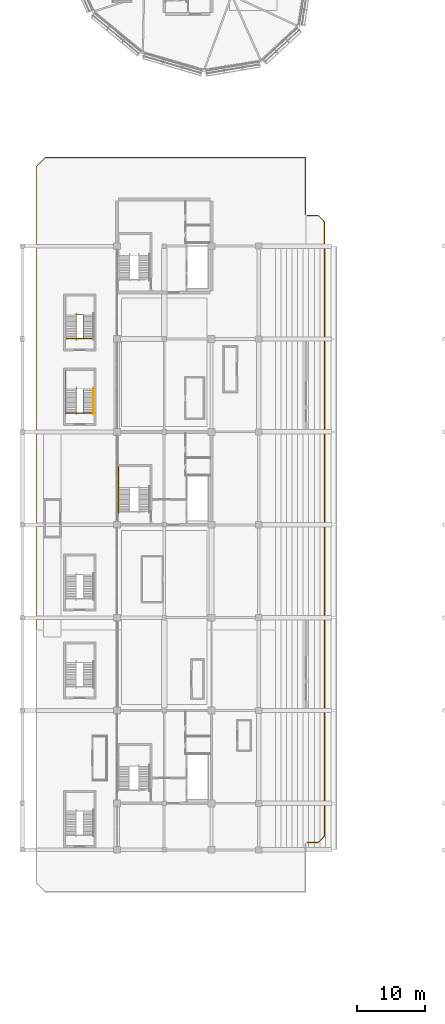
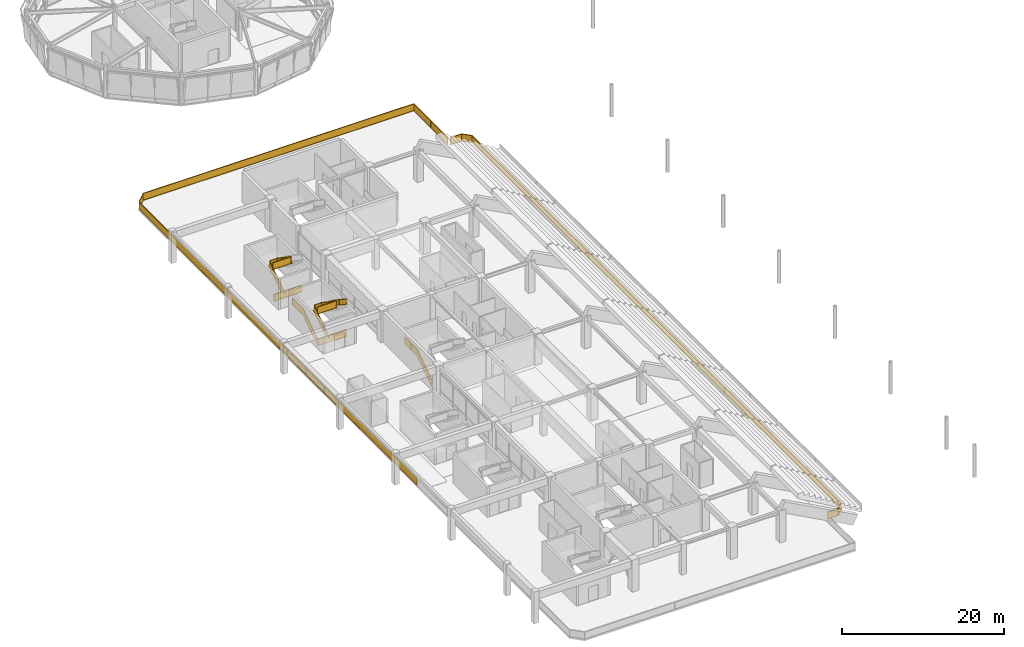
# One storey, part 84 of 94: 9 railings.
"""IFC4 building model written with IfcOpenShell, lengths in metres."""

from ifc_helpers import new_model, si_unit, direction, frame, origin, origin_2d, place, context, subcontext, project, spatial, rectangle, extrude, material, type_object, element, save


model = new_model("IFC4")

# Units and contexts
model_context = context("Model", 3, precision=1e-05, world=origin(), true_north=direction((0.0, 1.0)))
body_context = subcontext(model_context, "Body", "Model", "MODEL_VIEW")
ifc_project = project(units=[si_unit("LENGTHUNIT", "METRE"), si_unit("AREAUNIT", "SQUARE_METRE"), si_unit("VOLUMEUNIT", "CUBIC_METRE"), si_unit("PLANEANGLEUNIT", "RADIAN"), si_unit("MASSUNIT", "GRAM", prefix="KILO")], contexts=[model_context])

# Site, building, storey
site_placement = place(None, origin())
site = spatial("IfcSite", under=ifc_project, at=site_placement, CompositionType="ELEMENT")
building_placement = place(site_placement, origin())
building = spatial("IfcBuilding", under=site, at=building_placement, Name="Linyun Crest Stadium", CompositionType="ELEMENT")
storey_placement = place(building_placement, frame((0.0, 0.0, 16.199951171875)))
storey = spatial("IfcBuildingStorey", under=building, at=storey_placement, Name="L04", CompositionType="ELEMENT", Elevation=16.199951171875)

# Railings
ifc_material_1 = material(Name="Verdigris painted steel botanical balustrade", Category="steel")
railing_type_1 = type_object("IfcRailingType", Name="GR01", PredefinedType="BALUSTRADE", material=ifc_material_1)
railing_1_placement = place(storey_placement, frame((-55.820068359375, 47.93994140625, 0.0)))
element("IfcRailing", 1, at=railing_1_placement, inside=storey, type_object=railing_type_1, Name="Slab edge balustrade GR01 97", PredefinedType="BALUSTRADE", context=body_context, shape_type="SweptSolid", body=[
    extrude(rectangle(XDim=0.06005859375, YDim=0.06005859375, at=origin_2d()), frame((0.0, 0.0, 1.119873046875), z_axis=(1.0, 0.0, 0.0), x_axis=(0.0, 1.0, 0.0)), (0.0, 0.0, 1.0), 1.594970703125),
    extrude(rectangle(XDim=0.030029296875, YDim=1.02978515625, at=origin_2d()), frame((0.0, 0.0, 0.574951171875), z_axis=(1.0, 0.0, 0.0), x_axis=(0.0, 1.0, 0.0)), (0.0, 0.0, 1.0), 1.594970703125),
    extrude(rectangle(XDim=0.06005859375, YDim=0.06005859375, at=origin_2d()), frame((0.0, 0.0, 0.030029296875), z_axis=(1.0, 0.0, 0.0), x_axis=(0.0, 1.0, 0.0)), (0.0, 0.0, 1.0), 1.594970703125),
    extrude(rectangle(XDim=0.06005859375, YDim=0.06005859375, at=origin_2d()), frame((1.594970703125, 0.0, 1.119873046875), z_axis=(0.707196226101, -0.707017324956, 0.0), x_axis=(0.707017324956, 0.707196226101, 0.0)), (0.0, 0.0, 1.0), 1.36474609375),
    extrude(rectangle(XDim=0.030029296875, YDim=1.02978515625, at=origin_2d()), frame((1.594970703125, 0.0, 0.574951171875), z_axis=(0.707196226101, -0.707017324956, 0.0), x_axis=(0.707017324956, 0.707196226101, 0.0)), (0.0, 0.0, 1.0), 1.36474609375),
    extrude(rectangle(XDim=0.06005859375, YDim=0.06005859375, at=origin_2d()), frame((1.594970703125, 0.0, 0.030029296875), z_axis=(0.707196226101, -0.707017324956, 0.0), x_axis=(0.707017324956, 0.707196226101, 0.0)), (0.0, 0.0, 1.0), 1.36474609375),
    extrude(rectangle(XDim=0.06005859375, YDim=0.06005859375, at=origin_2d()), frame((2.56005859375, -0.96484375, 1.119873046875), z_axis=(0.0, -1.0, 0.0), x_axis=(1.0, 0.0, 0.0)), (0.0, 0.0, 1.0), 90.9501953125),
    extrude(rectangle(XDim=0.030029296875, YDim=1.02978515625, at=origin_2d()), frame((2.56005859375, -0.96484375, 0.574951171875), z_axis=(0.0, -1.0, 0.0), x_axis=(1.0, 0.0, 0.0)), (0.0, 0.0, 1.0), 90.9501953125),
    extrude(rectangle(XDim=0.06005859375, YDim=0.06005859375, at=origin_2d()), frame((2.56005859375, -0.96484375, 0.030029296875), z_axis=(0.0, -1.0, 0.0), x_axis=(1.0, 0.0, 0.0)), (0.0, 0.0, 1.0), 90.9501953125),
    extrude(rectangle(XDim=0.06005859375, YDim=0.06005859375, at=origin_2d()), frame((2.56005859375, -91.9150390625, 1.119873046875), z_axis=(-0.707196226101, -0.707017324956, 0.0), x_axis=(0.707017324956, -0.707196226101, 0.0)), (0.0, 0.0, 1.0), 1.36474609375),
    extrude(rectangle(XDim=0.030029296875, YDim=1.02978515625, at=origin_2d()), frame((2.56005859375, -91.9150390625, 0.574951171875), z_axis=(-0.707196226101, -0.707017324956, 0.0), x_axis=(0.707017324956, -0.707196226101, 0.0)), (0.0, 0.0, 1.0), 1.36474609375),
    extrude(rectangle(XDim=0.06005859375, YDim=0.06005859375, at=origin_2d()), frame((2.56005859375, -91.9150390625, 0.030029296875), z_axis=(-0.707196226101, -0.707017324956, 0.0), x_axis=(0.707017324956, -0.707196226101, 0.0)), (0.0, 0.0, 1.0), 1.36474609375),
    extrude(rectangle(XDim=0.06005859375, YDim=0.06005859375, at=origin_2d()), frame((1.594970703125, -92.8798828125, 1.119873046875), z_axis=(-1.0, 0.0, 0.0), x_axis=(0.0, -1.0, 0.0)), (0.0, 0.0, 1.0), 1.594970703125),
    extrude(rectangle(XDim=0.030029296875, YDim=1.02978515625, at=origin_2d()), frame((1.594970703125, -92.8798828125, 0.574951171875), z_axis=(-1.0, 0.0, 0.0), x_axis=(0.0, -1.0, 0.0)), (0.0, 0.0, 1.0), 1.594970703125),
    extrude(rectangle(XDim=0.06005859375, YDim=0.06005859375, at=origin_2d()), frame((1.594970703125, -92.8798828125, 0.030029296875), z_axis=(-1.0, 0.0, 0.0), x_axis=(0.0, -1.0, 0.0)), (0.0, 0.0, 1.0), 1.594970703125),
    extrude(rectangle(XDim=0.050048828125, YDim=0.050048828125, at=origin_2d()), origin(), (0.0, 0.0, 1.0), 1.14990234375),
    extrude(rectangle(XDim=0.050048828125, YDim=0.050048828125, at=origin_2d()), frame((1.594970703125, 0.0, 0.0)), (0.0, 0.0, 1.0), 1.14990234375),
    extrude(rectangle(XDim=0.050048828125, YDim=0.050048828125, at=origin_2d()), frame((2.56005859375, -0.96484375, 0.0)), (0.0, 0.0, 1.0), 1.14990234375),
    extrude(rectangle(XDim=0.050048828125, YDim=0.050048828125, at=origin_2d()), frame((2.56005859375, -5.751708984375, 0.0)), (0.0, 0.0, 1.0), 1.14990234375),
    extrude(rectangle(XDim=0.050048828125, YDim=0.050048828125, at=origin_2d()), frame((2.56005859375, -10.53857421875, 0.0)), (0.0, 0.0, 1.0), 1.14990234375),
    extrude(rectangle(XDim=0.050048828125, YDim=0.050048828125, at=origin_2d()), frame((2.56005859375, -15.325439453125, 0.0)), (0.0, 0.0, 1.0), 1.14990234375),
    extrude(rectangle(XDim=0.050048828125, YDim=0.050048828125, at=origin_2d()), frame((2.56005859375, -20.1123046875, 0.0)), (0.0, 0.0, 1.0), 1.14990234375),
    extrude(rectangle(XDim=0.050048828125, YDim=0.050048828125, at=origin_2d()), frame((2.56005859375, -24.899169921875, 0.0)), (0.0, 0.0, 1.0), 1.14990234375),
    extrude(rectangle(XDim=0.050048828125, YDim=0.050048828125, at=origin_2d()), frame((2.56005859375, -29.68603515625, 0.0)), (0.0, 0.0, 1.0), 1.14990234375),
    extrude(rectangle(XDim=0.050048828125, YDim=0.050048828125, at=origin_2d()), frame((2.56005859375, -34.472900390625, 0.0)), (0.0, 0.0, 1.0), 1.14990234375),
    extrude(rectangle(XDim=0.050048828125, YDim=0.050048828125, at=origin_2d()), frame((2.56005859375, -39.259765625, 0.0)), (0.0, 0.0, 1.0), 1.14990234375),
    extrude(rectangle(XDim=0.050048828125, YDim=0.050048828125, at=origin_2d()), frame((2.56005859375, -44.046630859375, 0.0)), (0.0, 0.0, 1.0), 1.14990234375),
    extrude(rectangle(XDim=0.050048828125, YDim=0.050048828125, at=origin_2d()), frame((2.56005859375, -48.833251953125, 0.0)), (0.0, 0.0, 1.0), 1.14990234375),
    extrude(rectangle(XDim=0.050048828125, YDim=0.050048828125, at=origin_2d()), frame((2.56005859375, -53.6201171875, 0.0)), (0.0, 0.0, 1.0), 1.14990234375),
    extrude(rectangle(XDim=0.050048828125, YDim=0.050048828125, at=origin_2d()), frame((2.56005859375, -58.406982421875, 0.0)), (0.0, 0.0, 1.0), 1.14990234375),
    extrude(rectangle(XDim=0.050048828125, YDim=0.050048828125, at=origin_2d()), frame((2.56005859375, -63.19384765625, 0.0)), (0.0, 0.0, 1.0), 1.14990234375),
    extrude(rectangle(XDim=0.050048828125, YDim=0.050048828125, at=origin_2d()), frame((2.56005859375, -67.980712890625, 0.0)), (0.0, 0.0, 1.0), 1.14990234375),
    extrude(rectangle(XDim=0.050048828125, YDim=0.050048828125, at=origin_2d()), frame((2.56005859375, -72.767578125, 0.0)), (0.0, 0.0, 1.0), 1.14990234375),
    extrude(rectangle(XDim=0.050048828125, YDim=0.050048828125, at=origin_2d()), frame((2.56005859375, -77.554443359375, 0.0)), (0.0, 0.0, 1.0), 1.14990234375),
    extrude(rectangle(XDim=0.050048828125, YDim=0.050048828125, at=origin_2d()), frame((2.56005859375, -82.34130859375, 0.0)), (0.0, 0.0, 1.0), 1.14990234375),
    extrude(rectangle(XDim=0.050048828125, YDim=0.050048828125, at=origin_2d()), frame((2.56005859375, -87.128173828125, 0.0)), (0.0, 0.0, 1.0), 1.14990234375),
    extrude(rectangle(XDim=0.050048828125, YDim=0.050048828125, at=origin_2d()), frame((2.56005859375, -91.9150390625, 0.0)), (0.0, 0.0, 1.0), 1.14990234375),
    extrude(rectangle(XDim=0.050048828125, YDim=0.050048828125, at=origin_2d()), frame((1.594970703125, -92.8798828125, 0.0)), (0.0, 0.0, 1.0), 1.14990234375),
    extrude(rectangle(XDim=0.050048828125, YDim=0.050048828125, at=origin_2d()), frame((0.0, -92.8798828125, 0.0)), (0.0, 0.0, 1.0), 1.14990234375),
])
ifc_material_2 = material(Name="Galvanized and powder-coated steel bowl safety barrier", Category="steel")
railing_type_2 = type_object("IfcRailingType", Name="GR02", PredefinedType="GUARDRAIL", material=ifc_material_2)
railing_2_placement = place(storey_placement, frame((-95.93994140625, -13.330078125, 0.0)))
element("IfcRailing", 2, at=railing_2_placement, inside=storey, type_object=railing_type_2, Name="Slab edge balustrade GR02 58", PredefinedType="GUARDRAIL", context=body_context, shape_type="SweptSolid", body=[
    extrude(rectangle(XDim=0.06005859375, YDim=0.06005859375, at=origin_2d()), frame((0.0, 0.0, 1.090087890625), z_axis=(0.0, 1.0, 0.0), x_axis=(-1.0, 0.0, 0.0)), (0.0, 0.0, 1.0), 68.489990234375),
    extrude(rectangle(XDim=0.030029296875, YDim=1.0, at=origin_2d()), frame((0.0, 0.0, 0.56005859375), z_axis=(0.0, 1.0, 0.0), x_axis=(-1.0, 0.0, 0.0)), (0.0, 0.0, 1.0), 68.489990234375),
    extrude(rectangle(XDim=0.06005859375, YDim=0.06005859375, at=origin_2d()), frame((0.0, 0.0, 0.030029296875), z_axis=(0.0, 1.0, 0.0), x_axis=(-1.0, 0.0, 0.0)), (0.0, 0.0, 1.0), 68.489990234375),
    extrude(rectangle(XDim=0.06005859375, YDim=0.06005859375, at=origin_2d()), frame((0.0, 68.489990234375, 1.090087890625), z_axis=(0.707106781187, 0.707106781187, 0.0), x_axis=(-0.707106781187, 0.707106781187, 0.0)), (0.0, 0.0, 1.0), 1.930419921875),
    extrude(rectangle(XDim=0.030029296875, YDim=1.0, at=origin_2d()), frame((0.0, 68.489990234375, 0.56005859375), z_axis=(0.707106781187, 0.707106781187, 0.0), x_axis=(-0.707106781187, 0.707106781187, 0.0)), (0.0, 0.0, 1.0), 1.930419921875),
    extrude(rectangle(XDim=0.06005859375, YDim=0.06005859375, at=origin_2d()), frame((0.0, 68.489990234375, 0.030029296875), z_axis=(0.707106781187, 0.707106781187, 0.0), x_axis=(-0.707106781187, 0.707106781187, 0.0)), (0.0, 0.0, 1.0), 1.930419921875),
    extrude(rectangle(XDim=0.06005859375, YDim=0.06005859375, at=origin_2d()), frame((1.364990234375, 69.85498046875, 1.090087890625), z_axis=(1.0, 0.0, 0.0), x_axis=(0.0, 1.0, 0.0)), (0.0, 0.0, 1.0), 38.514892578125),
    extrude(rectangle(XDim=0.030029296875, YDim=1.0, at=origin_2d()), frame((1.364990234375, 69.85498046875, 0.56005859375), z_axis=(1.0, 0.0, 0.0), x_axis=(0.0, 1.0, 0.0)), (0.0, 0.0, 1.0), 38.514892578125),
    extrude(rectangle(XDim=0.06005859375, YDim=0.06005859375, at=origin_2d()), frame((1.364990234375, 69.85498046875, 0.030029296875), z_axis=(1.0, 0.0, 0.0), x_axis=(0.0, 1.0, 0.0)), (0.0, 0.0, 1.0), 38.514892578125),
    extrude(rectangle(XDim=0.06005859375, YDim=0.06005859375, at=origin_2d()), frame((39.8798828125, 69.85498046875, 1.090087890625), z_axis=(0.0, -1.0, 0.0), x_axis=(1.0, 0.0, 0.0)), (0.0, 0.0, 1.0), 8.364013671875),
    extrude(rectangle(XDim=0.030029296875, YDim=1.0, at=origin_2d()), frame((39.8798828125, 69.85498046875, 0.56005859375), z_axis=(0.0, -1.0, 0.0), x_axis=(1.0, 0.0, 0.0)), (0.0, 0.0, 1.0), 8.364013671875),
    extrude(rectangle(XDim=0.06005859375, YDim=0.06005859375, at=origin_2d()), frame((39.8798828125, 69.85498046875, 0.030029296875), z_axis=(0.0, -1.0, 0.0), x_axis=(1.0, 0.0, 0.0)), (0.0, 0.0, 1.0), 8.364013671875),
    extrude(rectangle(XDim=0.050048828125, YDim=0.050048828125, at=origin_2d()), origin(), (0.0, 0.0, 1.0), 1.1201171875),
    extrude(rectangle(XDim=0.050048828125, YDim=0.050048828125, at=origin_2d()), frame((0.0, 4.56591796875, 0.0)), (0.0, 0.0, 1.0), 1.1201171875),
    extrude(rectangle(XDim=0.050048828125, YDim=0.050048828125, at=origin_2d()), frame((0.0, 9.132080078125, 0.0)), (0.0, 0.0, 1.0), 1.1201171875),
    extrude(rectangle(XDim=0.050048828125, YDim=0.050048828125, at=origin_2d()), frame((0.0, 13.697998046875, 0.0)), (0.0, 0.0, 1.0), 1.1201171875),
    extrude(rectangle(XDim=0.050048828125, YDim=0.050048828125, at=origin_2d()), frame((0.0, 18.263916015625, 0.0)), (0.0, 0.0, 1.0), 1.1201171875),
    extrude(rectangle(XDim=0.050048828125, YDim=0.050048828125, at=origin_2d()), frame((0.0, 22.830078125, 0.0)), (0.0, 0.0, 1.0), 1.1201171875),
    extrude(rectangle(XDim=0.050048828125, YDim=0.050048828125, at=origin_2d()), frame((0.0, 27.39599609375, 0.0)), (0.0, 0.0, 1.0), 1.1201171875),
    extrude(rectangle(XDim=0.050048828125, YDim=0.050048828125, at=origin_2d()), frame((0.0, 31.9619140625, 0.0)), (0.0, 0.0, 1.0), 1.1201171875),
    extrude(rectangle(XDim=0.050048828125, YDim=0.050048828125, at=origin_2d()), frame((0.0, 36.528076171875, 0.0)), (0.0, 0.0, 1.0), 1.1201171875),
    extrude(rectangle(XDim=0.050048828125, YDim=0.050048828125, at=origin_2d()), frame((0.0, 41.093994140625, 0.0)), (0.0, 0.0, 1.0), 1.1201171875),
    extrude(rectangle(XDim=0.050048828125, YDim=0.050048828125, at=origin_2d()), frame((0.0, 45.659912109375, 0.0)), (0.0, 0.0, 1.0), 1.1201171875),
    extrude(rectangle(XDim=0.050048828125, YDim=0.050048828125, at=origin_2d()), frame((0.0, 50.22607421875, 0.0)), (0.0, 0.0, 1.0), 1.1201171875),
    extrude(rectangle(XDim=0.050048828125, YDim=0.050048828125, at=origin_2d()), frame((0.0, 54.7919921875, 0.0)), (0.0, 0.0, 1.0), 1.1201171875),
    extrude(rectangle(XDim=0.050048828125, YDim=0.050048828125, at=origin_2d()), frame((0.0, 59.35791015625, 0.0)), (0.0, 0.0, 1.0), 1.1201171875),
    extrude(rectangle(XDim=0.050048828125, YDim=0.050048828125, at=origin_2d()), frame((0.0, 63.924072265625, 0.0)), (0.0, 0.0, 1.0), 1.1201171875),
    extrude(rectangle(XDim=0.050048828125, YDim=0.050048828125, at=origin_2d()), frame((0.0, 68.489990234375, 0.0)), (0.0, 0.0, 1.0), 1.1201171875),
    extrude(rectangle(XDim=0.050048828125, YDim=0.050048828125, at=origin_2d()), frame((1.364990234375, 69.85498046875, 0.0)), (0.0, 0.0, 1.0), 1.1201171875),
    extrude(rectangle(XDim=0.050048828125, YDim=0.050048828125, at=origin_2d()), frame((5.64453125, 69.85498046875, 0.0)), (0.0, 0.0, 1.0), 1.1201171875),
    extrude(rectangle(XDim=0.050048828125, YDim=0.050048828125, at=origin_2d()), frame((9.923828125, 69.85498046875, 0.0)), (0.0, 0.0, 1.0), 1.1201171875),
    extrude(rectangle(XDim=0.050048828125, YDim=0.050048828125, at=origin_2d()), frame((14.203369140625, 69.85498046875, 0.0)), (0.0, 0.0, 1.0), 1.1201171875),
    extrude(rectangle(XDim=0.050048828125, YDim=0.050048828125, at=origin_2d()), frame((18.482666015625, 69.85498046875, 0.0)), (0.0, 0.0, 1.0), 1.1201171875),
    extrude(rectangle(XDim=0.050048828125, YDim=0.050048828125, at=origin_2d()), frame((22.76220703125, 69.85498046875, 0.0)), (0.0, 0.0, 1.0), 1.1201171875),
    extrude(rectangle(XDim=0.050048828125, YDim=0.050048828125, at=origin_2d()), frame((27.04150390625, 69.85498046875, 0.0)), (0.0, 0.0, 1.0), 1.1201171875),
    extrude(rectangle(XDim=0.050048828125, YDim=0.050048828125, at=origin_2d()), frame((31.321044921875, 69.85498046875, 0.0)), (0.0, 0.0, 1.0), 1.1201171875),
    extrude(rectangle(XDim=0.050048828125, YDim=0.050048828125, at=origin_2d()), frame((35.600341796875, 69.85498046875, 0.0)), (0.0, 0.0, 1.0), 1.1201171875),
    extrude(rectangle(XDim=0.050048828125, YDim=0.050048828125, at=origin_2d()), frame((39.8798828125, 69.85498046875, 0.0)), (0.0, 0.0, 1.0), 1.1201171875),
    extrude(rectangle(XDim=0.050048828125, YDim=0.050048828125, at=origin_2d()), frame((39.8798828125, 65.6728515625, 0.0)), (0.0, 0.0, 1.0), 1.1201171875),
    extrude(rectangle(XDim=0.050048828125, YDim=0.050048828125, at=origin_2d()), frame((39.8798828125, 61.490966796875, 0.0)), (0.0, 0.0, 1.0), 1.1201171875),
])
for number, where, name in (
    (3, (-91.4599609375, 18.68994140625, 0.0), "Slab edge balustrade GR02 64"),
    (4, (-91.4599609375, 29.68994140625, 0.0), "Slab edge balustrade GR02 65"),
):
    element("IfcRailing", number, at=place(storey_placement, frame(where)), inside=storey, type_object=railing_type_2, Name=name, PredefinedType="GUARDRAIL", context=body_context, shape_type="SweptSolid", body=[
        extrude(rectangle(XDim=0.06005859375, YDim=0.06005859375, at=origin_2d()), frame((0.0, 0.0, 1.090087890625), z_axis=(1.0, 0.0, 0.0), x_axis=(0.0, 1.0, 0.0)), (0.0, 0.0, 1.0), 3.919921875),
        extrude(rectangle(XDim=0.030029296875, YDim=1.0, at=origin_2d()), frame((0.0, 0.0, 0.56005859375), z_axis=(1.0, 0.0, 0.0), x_axis=(0.0, 1.0, 0.0)), (0.0, 0.0, 1.0), 3.919921875),
        extrude(rectangle(XDim=0.06005859375, YDim=0.06005859375, at=origin_2d()), frame((0.0, 0.0, 0.030029296875), z_axis=(1.0, 0.0, 0.0), x_axis=(0.0, 1.0, 0.0)), (0.0, 0.0, 1.0), 3.919921875),
        extrude(rectangle(XDim=0.050048828125, YDim=0.050048828125, at=origin_2d()), origin(), (0.0, 0.0, 1.0), 1.1201171875),
        extrude(rectangle(XDim=0.050048828125, YDim=0.050048828125, at=origin_2d()), frame((3.919921875, 0.0, 0.0)), (0.0, 0.0, 1.0), 1.1201171875),
    ])
ifc_material_3 = material(Name="Painted steel stairwell safety guard", Category="steel")
railing_type_3 = type_object("IfcRailingType", Name="GR03", PredefinedType="GUARDRAIL", material=ifc_material_3)
railing_3_placement = place(storey_placement, frame((-83.77001953125, 4.114990234375, 0.0)))
element("IfcRailing", 5, at=railing_3_placement, inside=storey, type_object=railing_type_3, Name="STR-02-L04 outer guard", PredefinedType="GUARDRAIL", context=body_context, shape_type="SweptSolid", body=[
    extrude(rectangle(XDim=0.06005859375, YDim=0.06005859375, at=origin_2d()), frame((0.0, 0.0, 1.090087890625), z_axis=(0.0, 0.824712752785, 0.565551832633), x_axis=(-1.0, 0.0, 0.0)), (0.0, 0.0, 1.0), 4.243896484375),
    extrude(rectangle(XDim=0.030029296875, YDim=1.0, at=origin_2d()), frame((0.0, 0.0, 0.56005859375), z_axis=(0.0, 0.824712752785, 0.565551832633), x_axis=(-1.0, 0.0, 0.0)), (0.0, 0.0, 1.0), 4.243896484375),
    extrude(rectangle(XDim=0.06005859375, YDim=0.06005859375, at=origin_2d()), frame((0.0, 0.0, 0.030029296875), z_axis=(0.0, 0.824712752785, 0.565551832633), x_axis=(-1.0, 0.0, 0.0)), (0.0, 0.0, 1.0), 4.243896484375),
    extrude(rectangle(XDim=0.06005859375, YDim=0.06005859375, at=origin_2d()), frame((0.0, 3.5, 3.490234375), z_axis=(0.0, 1.0, 0.0), x_axis=(-1.0, 0.0, 0.0)), (0.0, 0.0, 1.0), 3.080078125),
    extrude(rectangle(XDim=0.030029296875, YDim=1.0, at=origin_2d()), frame((0.0, 3.5, 2.960205078125), z_axis=(0.0, 1.0, 0.0), x_axis=(-1.0, 0.0, 0.0)), (0.0, 0.0, 1.0), 3.080078125),
    extrude(rectangle(XDim=0.06005859375, YDim=0.06005859375, at=origin_2d()), frame((0.0, 3.5, 2.43017578125), z_axis=(0.0, 1.0, 0.0), x_axis=(-1.0, 0.0, 0.0)), (0.0, 0.0, 1.0), 3.080078125),
    extrude(rectangle(XDim=0.050048828125, YDim=0.050048828125, at=origin_2d()), origin(), (0.0, 0.0, 1.0), 1.1201171875),
    extrude(rectangle(XDim=0.050048828125, YDim=0.050048828125, at=origin_2d()), frame((0.0, 1.166748046875, 0.800048828125)), (0.0, 0.0, 1.0), 1.1201171875),
    extrude(rectangle(XDim=0.050048828125, YDim=0.050048828125, at=origin_2d()), frame((0.0, 2.333251953125, 1.60009765625)), (0.0, 0.0, 1.0), 1.1201171875),
    extrude(rectangle(XDim=0.050048828125, YDim=0.050048828125, at=origin_2d()), frame((0.0, 3.5, 2.400146484375)), (0.0, 0.0, 1.0), 1.1201171875),
    extrude(rectangle(XDim=0.050048828125, YDim=0.050048828125, at=origin_2d()), frame((0.0, 5.0400390625, 2.400146484375)), (0.0, 0.0, 1.0), 1.1201171875),
    extrude(rectangle(XDim=0.050048828125, YDim=0.050048828125, at=origin_2d()), frame((0.0, 6.580078125, 2.400146484375)), (0.0, 0.0, 1.0), 1.1201171875),
])
railing_4_placement = place(storey_placement, frame((-91.570068359375, 18.719970703125, 0.0)))
element("IfcRailing", 6, at=railing_4_placement, inside=storey, type_object=railing_type_3, Name="STR-16-L04 outer guard", PredefinedType="GUARDRAIL", context=body_context, shape_type="SweptSolid", body=[
    extrude(rectangle(XDim=0.06005859375, YDim=0.06005859375, at=origin_2d()), frame((0.0, 0.0, 1.090087890625), z_axis=(0.0, 0.824712752785, 0.565551832633), x_axis=(-1.0, 0.0, 0.0)), (0.0, 0.0, 1.0), 4.243896484375),
    extrude(rectangle(XDim=0.030029296875, YDim=1.0, at=origin_2d()), frame((0.0, 0.0, 0.56005859375), z_axis=(0.0, 0.824712752785, 0.565551832633), x_axis=(-1.0, 0.0, 0.0)), (0.0, 0.0, 1.0), 4.243896484375),
    extrude(rectangle(XDim=0.06005859375, YDim=0.06005859375, at=origin_2d()), frame((0.0, 0.0, 0.030029296875), z_axis=(0.0, 0.824712752785, 0.565551832633), x_axis=(-1.0, 0.0, 0.0)), (0.0, 0.0, 1.0), 4.243896484375),
    extrude(rectangle(XDim=0.06005859375, YDim=0.06005859375, at=origin_2d()), frame((0.0, 3.5, 3.490234375), z_axis=(0.0, 1.0, 0.0), x_axis=(-1.0, 0.0, 0.0)), (0.0, 0.0, 1.0), 2.75),
    extrude(rectangle(XDim=0.030029296875, YDim=1.0, at=origin_2d()), frame((0.0, 3.5, 2.960205078125), z_axis=(0.0, 1.0, 0.0), x_axis=(-1.0, 0.0, 0.0)), (0.0, 0.0, 1.0), 2.75),
    extrude(rectangle(XDim=0.06005859375, YDim=0.06005859375, at=origin_2d()), frame((0.0, 3.5, 2.43017578125), z_axis=(0.0, 1.0, 0.0), x_axis=(-1.0, 0.0, 0.0)), (0.0, 0.0, 1.0), 2.75),
    extrude(rectangle(XDim=0.050048828125, YDim=0.050048828125, at=origin_2d()), origin(), (0.0, 0.0, 1.0), 1.1201171875),
    extrude(rectangle(XDim=0.050048828125, YDim=0.050048828125, at=origin_2d()), frame((0.0, 1.166748046875, 0.800048828125)), (0.0, 0.0, 1.0), 1.1201171875),
    extrude(rectangle(XDim=0.050048828125, YDim=0.050048828125, at=origin_2d()), frame((0.0, 2.333251953125, 1.60009765625)), (0.0, 0.0, 1.0), 1.1201171875),
    extrude(rectangle(XDim=0.050048828125, YDim=0.050048828125, at=origin_2d()), frame((0.0, 3.5, 2.400146484375)), (0.0, 0.0, 1.0), 1.1201171875),
    extrude(rectangle(XDim=0.050048828125, YDim=0.050048828125, at=origin_2d()), frame((0.0, 4.875, 2.400146484375)), (0.0, 0.0, 1.0), 1.1201171875),
    extrude(rectangle(XDim=0.050048828125, YDim=0.050048828125, at=origin_2d()), frame((0.0, 6.25, 2.400146484375)), (0.0, 0.0, 1.0), 1.1201171875),
])
railing_5_placement = place(storey_placement, frame((-90.030029296875, 18.699951171875, 0.0)))
element("IfcRailing", 7, at=railing_5_placement, inside=storey, type_object=railing_type_3, Name="STR-16-L04 inner well guard", PredefinedType="GUARDRAIL", context=body_context, shape_type="SweptSolid", body=[
    extrude(rectangle(XDim=0.06005859375, YDim=0.06005859375, at=origin_2d()), frame((0.0, 0.0, 1.090087890625), z_axis=(0.0, 0.826212794201, 0.563358162005), x_axis=(-1.0, 0.0, 0.0)), (0.0, 0.0, 1.0), 4.260498046875),
    extrude(rectangle(XDim=0.030029296875, YDim=1.0, at=origin_2d()), frame((0.0, 0.0, 0.56005859375), z_axis=(0.0, 0.826212794201, 0.563358162005), x_axis=(-1.0, 0.0, 0.0)), (0.0, 0.0, 1.0), 4.260498046875),
    extrude(rectangle(XDim=0.06005859375, YDim=0.06005859375, at=origin_2d()), frame((0.0, 0.0, 0.030029296875), z_axis=(0.0, 0.826212794201, 0.563358162005), x_axis=(-1.0, 0.0, 0.0)), (0.0, 0.0, 1.0), 4.260498046875),
    extrude(rectangle(XDim=0.06005859375, YDim=0.06005859375, at=origin_2d()), frame((0.0, 3.52001953125, 3.490234375), z_axis=(1.0, 0.0, 0.0), x_axis=(0.0, 1.0, 0.0)), (0.0, 0.0, 1.0), 1.06005859375),
    extrude(rectangle(XDim=0.030029296875, YDim=1.0, at=origin_2d()), frame((0.0, 3.52001953125, 2.960205078125), z_axis=(1.0, 0.0, 0.0), x_axis=(0.0, 1.0, 0.0)), (0.0, 0.0, 1.0), 1.06005859375),
    extrude(rectangle(XDim=0.06005859375, YDim=0.06005859375, at=origin_2d()), frame((0.0, 3.52001953125, 2.43017578125), z_axis=(1.0, 0.0, 0.0), x_axis=(0.0, 1.0, 0.0)), (0.0, 0.0, 1.0), 1.06005859375),
    extrude(rectangle(XDim=0.06005859375, YDim=0.06005859375, at=origin_2d()), frame((1.06005859375, 3.52001953125, 3.490234375), z_axis=(0.0, -0.826239466617, 0.563319042644), x_axis=(1.0, 0.0, 0.0)), (0.0, 0.0, 1.0), 4.26025390625),
    extrude(rectangle(XDim=0.030029296875, YDim=1.0, at=origin_2d()), frame((1.06005859375, 3.52001953125, 2.960205078125), z_axis=(0.0, -0.826239466617, 0.563319042644), x_axis=(1.0, 0.0, 0.0)), (0.0, 0.0, 1.0), 4.26025390625),
    extrude(rectangle(XDim=0.06005859375, YDim=0.06005859375, at=origin_2d()), frame((1.06005859375, 3.52001953125, 2.43017578125), z_axis=(0.0, -0.826239466617, 0.563319042644), x_axis=(1.0, 0.0, 0.0)), (0.0, 0.0, 1.0), 4.26025390625),
    extrude(rectangle(XDim=0.06005859375, YDim=0.06005859375, at=origin_2d()), frame((1.06005859375, 0.0, 5.89013671875), z_axis=(-1.0, 0.0, 0.0), x_axis=(0.0, -1.0, 0.0)), (0.0, 0.0, 1.0), 2.610107421875),
    extrude(rectangle(XDim=0.030029296875, YDim=1.0, at=origin_2d()), frame((1.06005859375, 0.0, 5.360107421875), z_axis=(-1.0, 0.0, 0.0), x_axis=(0.0, -1.0, 0.0)), (0.0, 0.0, 1.0), 2.610107421875),
    extrude(rectangle(XDim=0.06005859375, YDim=0.06005859375, at=origin_2d()), frame((1.06005859375, 0.0, 4.830078125), z_axis=(-1.0, 0.0, 0.0), x_axis=(0.0, -1.0, 0.0)), (0.0, 0.0, 1.0), 2.610107421875),
    extrude(rectangle(XDim=0.050048828125, YDim=0.050048828125, at=origin_2d()), origin(), (0.0, 0.0, 1.0), 1.1201171875),
    extrude(rectangle(XDim=0.050048828125, YDim=0.050048828125, at=origin_2d()), frame((0.0, 1.17333984375, 0.800048828125)), (0.0, 0.0, 1.0), 1.1201171875),
    extrude(rectangle(XDim=0.050048828125, YDim=0.050048828125, at=origin_2d()), frame((0.0, 2.3466796875, 1.60009765625)), (0.0, 0.0, 1.0), 1.1201171875),
    extrude(rectangle(XDim=0.050048828125, YDim=0.050048828125, at=origin_2d()), frame((0.0, 3.52001953125, 2.400146484375)), (0.0, 0.0, 1.0), 1.1201171875),
    extrude(rectangle(XDim=0.050048828125, YDim=0.050048828125, at=origin_2d()), frame((1.06005859375, 3.52001953125, 2.400146484375)), (0.0, 0.0, 1.0), 1.1201171875),
    extrude(rectangle(XDim=0.050048828125, YDim=0.050048828125, at=origin_2d()), frame((1.06005859375, 2.3466796875, 3.2001953125)), (0.0, 0.0, 1.0), 1.1201171875),
    extrude(rectangle(XDim=0.050048828125, YDim=0.050048828125, at=origin_2d()), frame((1.06005859375, 1.17333984375, 4.0)), (0.0, 0.0, 1.0), 1.1201171875),
    extrude(rectangle(XDim=0.050048828125, YDim=0.050048828125, at=origin_2d()), frame((1.06005859375, 0.0, 4.800048828125)), (0.0, 0.0, 1.0), 1.1201171875),
    extrude(rectangle(XDim=0.050048828125, YDim=0.050048828125, at=origin_2d()), frame((-0.2451171875, 0.0, 4.800048828125)), (0.0, 0.0, 1.0), 1.1201171875),
    extrude(rectangle(XDim=0.050048828125, YDim=0.050048828125, at=origin_2d()), frame((-1.550048828125, 0.0, 4.800048828125)), (0.0, 0.0, 1.0), 1.1201171875),
])
railing_6_placement = place(storey_placement, frame((-90.030029296875, 29.699951171875, 0.0)))
element("IfcRailing", 8, at=railing_6_placement, inside=storey, type_object=railing_type_3, Name="STR-17-L04 inner well guard", PredefinedType="GUARDRAIL", context=body_context, shape_type="SweptSolid", body=[
    extrude(rectangle(XDim=0.06005859375, YDim=0.06005859375, at=origin_2d()), frame((0.0, 0.0, 1.090087890625), z_axis=(0.0, 0.826212794201, 0.563358162005), x_axis=(-1.0, 0.0, 0.0)), (0.0, 0.0, 1.0), 4.260498046875),
    extrude(rectangle(XDim=0.030029296875, YDim=1.0, at=origin_2d()), frame((0.0, 0.0, 0.56005859375), z_axis=(0.0, 0.826212794201, 0.563358162005), x_axis=(-1.0, 0.0, 0.0)), (0.0, 0.0, 1.0), 4.260498046875),
    extrude(rectangle(XDim=0.06005859375, YDim=0.06005859375, at=origin_2d()), frame((0.0, 0.0, 0.030029296875), z_axis=(0.0, 0.826212794201, 0.563358162005), x_axis=(-1.0, 0.0, 0.0)), (0.0, 0.0, 1.0), 4.260498046875),
    extrude(rectangle(XDim=0.06005859375, YDim=0.06005859375, at=origin_2d()), frame((0.0, 3.52001953125, 3.490234375), z_axis=(1.0, 0.0, 0.0), x_axis=(0.0, 1.0, 0.0)), (0.0, 0.0, 1.0), 1.06005859375),
    extrude(rectangle(XDim=0.030029296875, YDim=1.0, at=origin_2d()), frame((0.0, 3.52001953125, 2.960205078125), z_axis=(1.0, 0.0, 0.0), x_axis=(0.0, 1.0, 0.0)), (0.0, 0.0, 1.0), 1.06005859375),
    extrude(rectangle(XDim=0.06005859375, YDim=0.06005859375, at=origin_2d()), frame((0.0, 3.52001953125, 2.43017578125), z_axis=(1.0, 0.0, 0.0), x_axis=(0.0, 1.0, 0.0)), (0.0, 0.0, 1.0), 1.06005859375),
    extrude(rectangle(XDim=0.06005859375, YDim=0.06005859375, at=origin_2d()), frame((1.06005859375, 3.52001953125, 3.490234375), z_axis=(0.0, -0.826239466617, 0.563319042644), x_axis=(1.0, 0.0, 0.0)), (0.0, 0.0, 1.0), 4.26025390625),
    extrude(rectangle(XDim=0.030029296875, YDim=1.0, at=origin_2d()), frame((1.06005859375, 3.52001953125, 2.960205078125), z_axis=(0.0, -0.826239466617, 0.563319042644), x_axis=(1.0, 0.0, 0.0)), (0.0, 0.0, 1.0), 4.26025390625),
    extrude(rectangle(XDim=0.06005859375, YDim=0.06005859375, at=origin_2d()), frame((1.06005859375, 3.52001953125, 2.43017578125), z_axis=(0.0, -0.826239466617, 0.563319042644), x_axis=(1.0, 0.0, 0.0)), (0.0, 0.0, 1.0), 4.26025390625),
    extrude(rectangle(XDim=0.06005859375, YDim=0.06005859375, at=origin_2d()), frame((1.06005859375, 0.0, 5.89013671875), z_axis=(-1.0, 0.0, 0.0), x_axis=(0.0, -1.0, 0.0)), (0.0, 0.0, 1.0), 2.610107421875),
    extrude(rectangle(XDim=0.030029296875, YDim=1.0, at=origin_2d()), frame((1.06005859375, 0.0, 5.360107421875), z_axis=(-1.0, 0.0, 0.0), x_axis=(0.0, -1.0, 0.0)), (0.0, 0.0, 1.0), 2.610107421875),
    extrude(rectangle(XDim=0.06005859375, YDim=0.06005859375, at=origin_2d()), frame((1.06005859375, 0.0, 4.830078125), z_axis=(-1.0, 0.0, 0.0), x_axis=(0.0, -1.0, 0.0)), (0.0, 0.0, 1.0), 2.610107421875),
    extrude(rectangle(XDim=0.050048828125, YDim=0.050048828125, at=origin_2d()), origin(), (0.0, 0.0, 1.0), 1.1201171875),
    extrude(rectangle(XDim=0.050048828125, YDim=0.050048828125, at=origin_2d()), frame((0.0, 1.17333984375, 0.800048828125)), (0.0, 0.0, 1.0), 1.1201171875),
    extrude(rectangle(XDim=0.050048828125, YDim=0.050048828125, at=origin_2d()), frame((0.0, 2.3466796875, 1.60009765625)), (0.0, 0.0, 1.0), 1.1201171875),
    extrude(rectangle(XDim=0.050048828125, YDim=0.050048828125, at=origin_2d()), frame((0.0, 3.52001953125, 2.400146484375)), (0.0, 0.0, 1.0), 1.1201171875),
    extrude(rectangle(XDim=0.050048828125, YDim=0.050048828125, at=origin_2d()), frame((1.06005859375, 3.52001953125, 2.400146484375)), (0.0, 0.0, 1.0), 1.1201171875),
    extrude(rectangle(XDim=0.050048828125, YDim=0.050048828125, at=origin_2d()), frame((1.06005859375, 2.3466796875, 3.2001953125)), (0.0, 0.0, 1.0), 1.1201171875),
    extrude(rectangle(XDim=0.050048828125, YDim=0.050048828125, at=origin_2d()), frame((1.06005859375, 1.17333984375, 4.0)), (0.0, 0.0, 1.0), 1.1201171875),
    extrude(rectangle(XDim=0.050048828125, YDim=0.050048828125, at=origin_2d()), frame((1.06005859375, 0.0, 4.800048828125)), (0.0, 0.0, 1.0), 1.1201171875),
    extrude(rectangle(XDim=0.050048828125, YDim=0.050048828125, at=origin_2d()), frame((-0.2451171875, 0.0, 4.800048828125)), (0.0, 0.0, 1.0), 1.1201171875),
    extrude(rectangle(XDim=0.050048828125, YDim=0.050048828125, at=origin_2d()), frame((-1.550048828125, 0.0, 4.800048828125)), (0.0, 0.0, 1.0), 1.1201171875),
])
ifc_material_4 = material(Name="Brushed stainless steel tubular handrail", Category="steel")
railing_type_4 = type_object("IfcRailingType", Name="HR01", PredefinedType="HANDRAIL", material=ifc_material_4)
railing_7_placement = place(storey_placement, frame((-87.47998046875, 22.219970703125, 2.400146484375)))
element("IfcRailing", 9, at=railing_7_placement, inside=storey, type_object=railing_type_4, Name="STR-16-L04 handrail", PredefinedType="HANDRAIL", context=body_context, shape_type="SweptSolid", body=[
    extrude(rectangle(XDim=0.06005859375, YDim=0.06005859375, at=origin_2d()), frame((0.0, 0.0, 0.889892578125), z_axis=(0.0, -0.824739584531, 0.5655127034), x_axis=(1.0, 0.0, 0.0)), (0.0, 0.0, 1.0), 4.24365234375),
    extrude(rectangle(XDim=0.030029296875, YDim=0.7998046875, at=origin_2d()), frame((0.0, 0.0, 0.4599609375), z_axis=(0.0, -0.824739584531, 0.5655127034), x_axis=(1.0, 0.0, 0.0)), (0.0, 0.0, 1.0), 4.24365234375),
    extrude(rectangle(XDim=0.06005859375, YDim=0.06005859375, at=origin_2d()), frame((0.0, 0.0, 0.030029296875), z_axis=(0.0, -0.824739584531, 0.5655127034), x_axis=(1.0, 0.0, 0.0)), (0.0, 0.0, 1.0), 4.24365234375),
    extrude(rectangle(XDim=0.050048828125, YDim=0.050048828125, at=origin_2d()), origin(), (0.0, 0.0, 1.0), 0.919921875),
    extrude(rectangle(XDim=0.050048828125, YDim=0.050048828125, at=origin_2d()), frame((0.0, -1.75, 1.199951171875)), (0.0, 0.0, 1.0), 0.919921875),
    extrude(rectangle(XDim=0.050048828125, YDim=0.050048828125, at=origin_2d()), frame((0.0, -3.5, 2.39990234375)), (0.0, 0.0, 1.0), 0.919921875),
])

save(model, "model.ifc")
